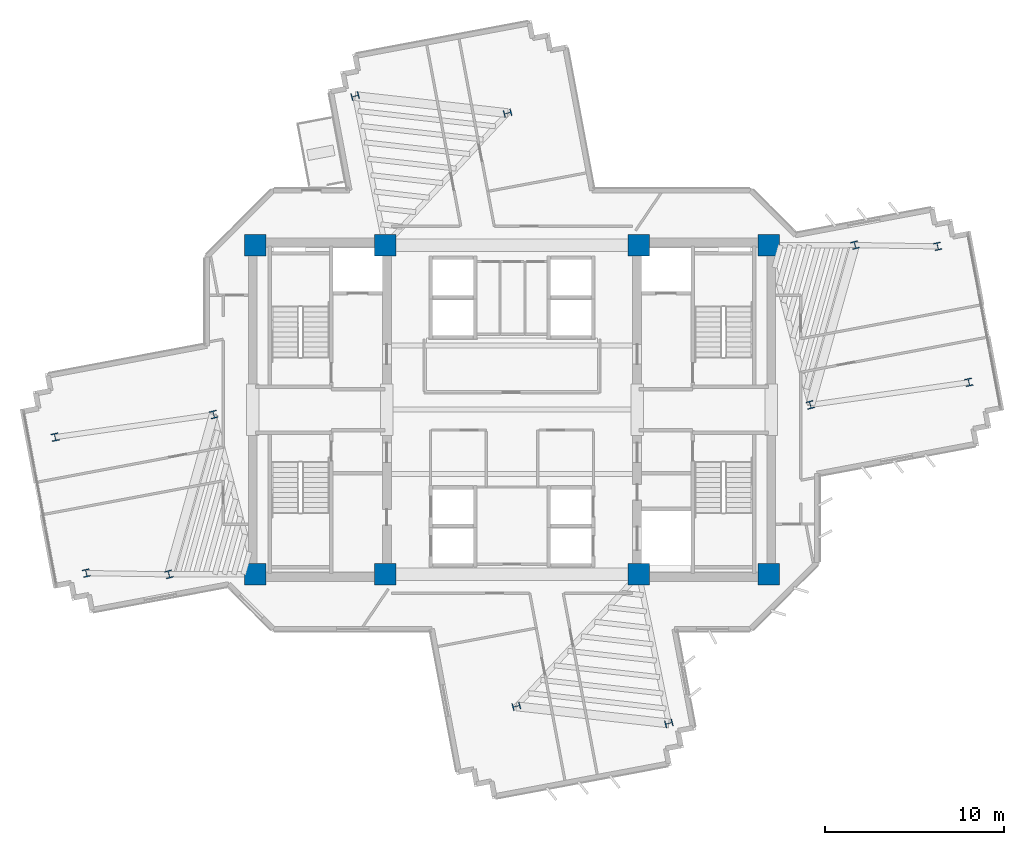
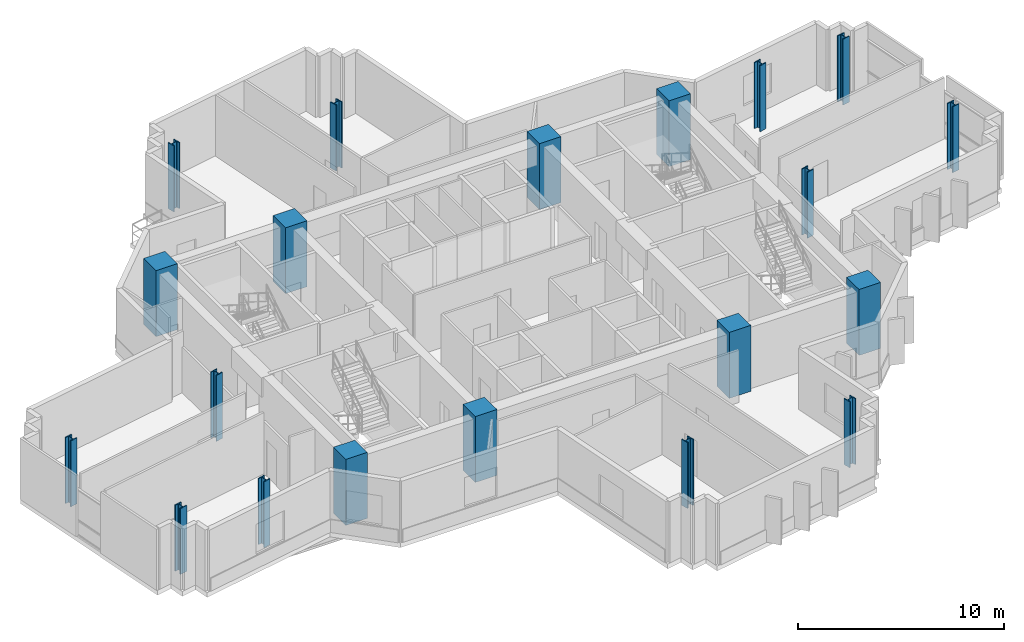
# One storey, part 1 of 16: 20 columns.
"""IFC4 building model written with IfcOpenShell, lengths in metres."""

from ifc_helpers import new_model, si_unit, direction, frame, origin, origin_2d, place, context, subcontext, project, spatial, rectangle, i_section, extrude, source, transform, mapped, material, material_profile, profile_set, type_object, element, save


model = new_model("IFC4")

# Units and contexts
model_context = context("Model", 3, precision=1e-05, world=origin(), true_north=direction((0.0, 1.0)))
body_context = subcontext(model_context, "Body", "Model", "MODEL_VIEW")
ifc_project = project(units=[si_unit("LENGTHUNIT", "METRE"), si_unit("AREAUNIT", "SQUARE_METRE"), si_unit("VOLUMEUNIT", "CUBIC_METRE"), si_unit("PLANEANGLEUNIT", "RADIAN"), si_unit("MASSUNIT", "GRAM", prefix="KILO")], contexts=[model_context])

# Site, building, storey
site_placement = place(None, origin())
site = spatial("IfcSite", under=ifc_project, at=site_placement, CompositionType="ELEMENT")
building_placement = place(site_placement, origin())
building = spatial("IfcBuilding", under=site, at=building_placement, Name="Zahravan Cultural Tower", CompositionType="ELEMENT")
storey_placement = place(building_placement, frame((0.0, 0.0, 155.10009765625)))
storey = spatial("IfcBuildingStorey", under=building, at=storey_placement, Name="L35", CompositionType="ELEMENT", Elevation=155.10009765625)

# Columns
ifc_material_1 = material(Name="Concrete C50/60", Category="concrete")
ifc_material_profile_1 = material_profile(ifc_material_1, rectangle(XDim=1.199951171875, YDim=1.199951171875, at=origin_2d()), Name="RC1200X1200")
ifc_profile_set_1 = profile_set([ifc_material_profile_1], Name="Concrete C50/60")
column_type_1 = type_object("IfcColumnType", Name="COL-RC1200", PredefinedType="COLUMN", material=ifc_profile_set_1)
shared_shape_1 = source(origin(), body_context, "Body", "SweptSolid", [
    extrude(rectangle(XDim=1.199951171875, YDim=1.199951171875, at=origin_2d()), origin(), (0.0, 0.0, 1.0), 3.89990234375),
])
for number, where, z_axis, x_axis, name in (
    (1, (21.64990234375, 17.800048828125, 0.0), (0.0, 0.0, 1.0), (1.0, 0.0, 0.0), "L35 Column CC-W1"),
    (2, (28.89990234375, 17.800048828125, 0.0), (0.0, 0.0, 1.0), (1.0, 0.0, 0.0), "L35 Column CC-W2"),
    (3, (21.64990234375, 36.199951171875, 0.0), (0.0, 0.0, 1.0), (1.0, 0.0, 0.0), "L35 Column CC-W3"),
    (4, (28.89990234375, 36.199951171875, 0.0), (0.0, 0.0, 1.0), (1.0, 0.0, 0.0), "L35 Column CC-W4"),
    (5, (43.10009765625, 17.800048828125, 0.0), (0.0, 0.0, 1.0), (1.0, 0.0, 0.0), "L35 Column CC-E1"),
    (6, (50.35009765625, 17.800048828125, 0.0), (0.0, 0.0, 1.0), (1.0, 0.0, 0.0), "L35 Column CC-E2"),
    (7, (43.10009765625, 36.199951171875, 0.0), (0.0, 0.0, 1.0), (1.0, 0.0, 0.0), "L35 Column CC-E3"),
    (8, (50.35009765625, 36.199951171875, 0.0), (0.0, 0.0, 1.0), (1.0, 0.0, 0.0), "L35 Column CC-E4"),
):
    element("IfcColumn", number, at=place(storey_placement, frame(where, z_axis=z_axis, x_axis=x_axis)), inside=storey, type_object=column_type_1, Name=name, PredefinedType="COLUMN", context=body_context, shape_type="MappedRepresentation", body=[
        mapped(shared_shape_1, transform((0.0, 0.0, 0.0), x_axis=(1.0, 0.0, 0.0), y_axis=(0.0, 1.0, 0.0), z_axis=(0.0, 0.0, 1.0), scale=1.0)),
    ])
ifc_material_2 = material(Name="Steel ASTM A992 Grade 50", Category="steel")
ifc_material_profile_2 = material_profile(ifc_material_2, i_section(OverallWidth=0.412109375, OverallDepth=0.43505859375, WebThickness=0.035888671875, FlangeThickness=0.057373046875, FilletRadius=0.01806640625, at=origin_2d()), Name="W14X311")
ifc_profile_set_2 = profile_set([ifc_material_profile_2], Name="Steel ASTM A992 Grade 50")
column_type_2 = type_object("IfcColumnType", Name="COL-W14X311", PredefinedType="COLUMN", material=ifc_profile_set_2)
shared_shape_2 = source(origin(), body_context, "Body", "SweptSolid", [
    extrude(i_section(OverallWidth=0.412109375, OverallDepth=0.43505859375, WebThickness=0.035888671875, FlangeThickness=0.057373046875, FilletRadius=0.01806640625, at=origin_2d()), origin(), (0.0, 0.0, 1.0), 3.89990234375),
])
for number, where, z_axis, x_axis, name in (
    (9, (52.684326171875, 27.27099609375, 0.0), (0.0, 0.0, 1.0), (0.966823388604, 0.255445757936, 0.0), "L35 Column Z2C-E1"),
    (10, (55.184814453125, 36.2060546875, 0.0), (0.0, 0.0, 1.0), (0.966823388604, 0.255445757936, 0.0), "L35 Column Z2C-E2"),
    (11, (35.754638671875, 43.587646484375, 0.0), (0.0, 0.0, 1.0), (-0.255445757936, 0.966823388604, 0.0), "L35 Column Z2C-N1"),
    (12, (27.22802734375, 44.541259765625, 0.0), (0.0, 0.0, 1.0), (-0.255445757936, 0.966823388604, 0.0), "L35 Column Z2C-N2"),
    (13, (19.315673828125, 26.72900390625, 0.0), (0.0, 0.0, 1.0), (0.966823388604, 0.255445757936, 0.0), "L35 Column Z2C-W1"),
    (14, (16.815185546875, 17.7939453125, 0.0), (0.0, 0.0, 1.0), (0.966823388604, 0.255445757936, 0.0), "L35 Column Z2C-W2"),
    (15, (36.245361328125, 10.412353515625, 0.0), (0.0, 0.0, 1.0), (-0.255445757936, 0.966823388604, 0.0), "L35 Column Z2C-S1"),
    (16, (44.77197265625, 9.458740234375, 0.0), (0.0, 0.0, 1.0), (-0.255445757936, 0.966823388604, 0.0), "L35 Column Z2C-S2"),
    (17, (61.552734375, 28.53466796875, 0.0), (0.0, 0.0, 1.0), (0.977415894286, 0.211324796455, 0.0), "L35 Column Z2T-E1"),
    (18, (59.806640625, 36.13720703125, 0.0), (0.0, 0.0, 1.0), (0.977415894286, 0.211324796455, 0.0), "L35 Column Z2T-E2"),
    (19, (10.447265625, 25.46533203125, 0.0), (0.0, 0.0, 1.0), (0.977415894286, 0.211324796455, 0.0), "L35 Column Z2T-W1"),
    (20, (12.193359375, 17.86279296875, 0.0), (0.0, 0.0, 1.0), (0.977415894286, 0.211324796455, 0.0), "L35 Column Z2T-W2"),
):
    element("IfcColumn", number, at=place(storey_placement, frame(where, z_axis=z_axis, x_axis=x_axis)), inside=storey, type_object=column_type_2, Name=name, PredefinedType="COLUMN", context=body_context, shape_type="MappedRepresentation", body=[
        mapped(shared_shape_2, transform((0.0, 0.0, 0.0), x_axis=(1.0, 0.0, 0.0), y_axis=(0.0, 1.0, 0.0), z_axis=(0.0, 0.0, 1.0), scale=1.0)),
    ])

save(model, "model.ifc")
